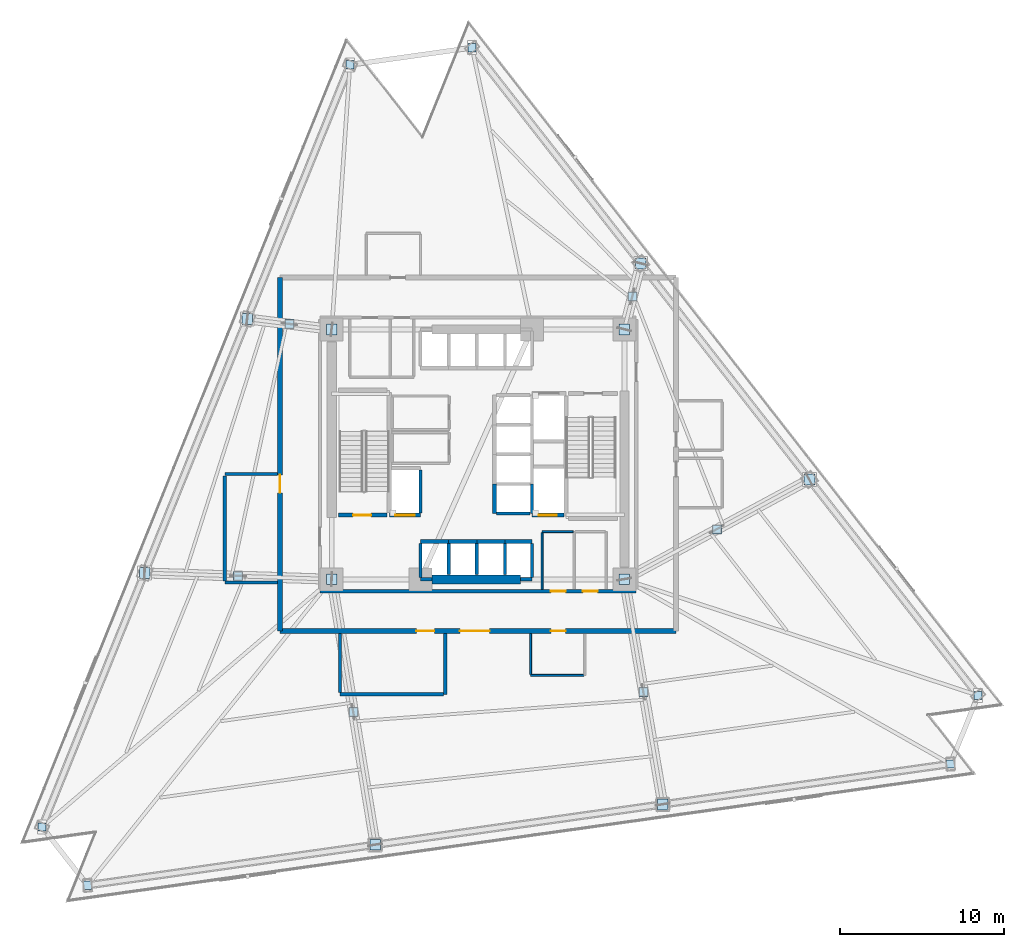
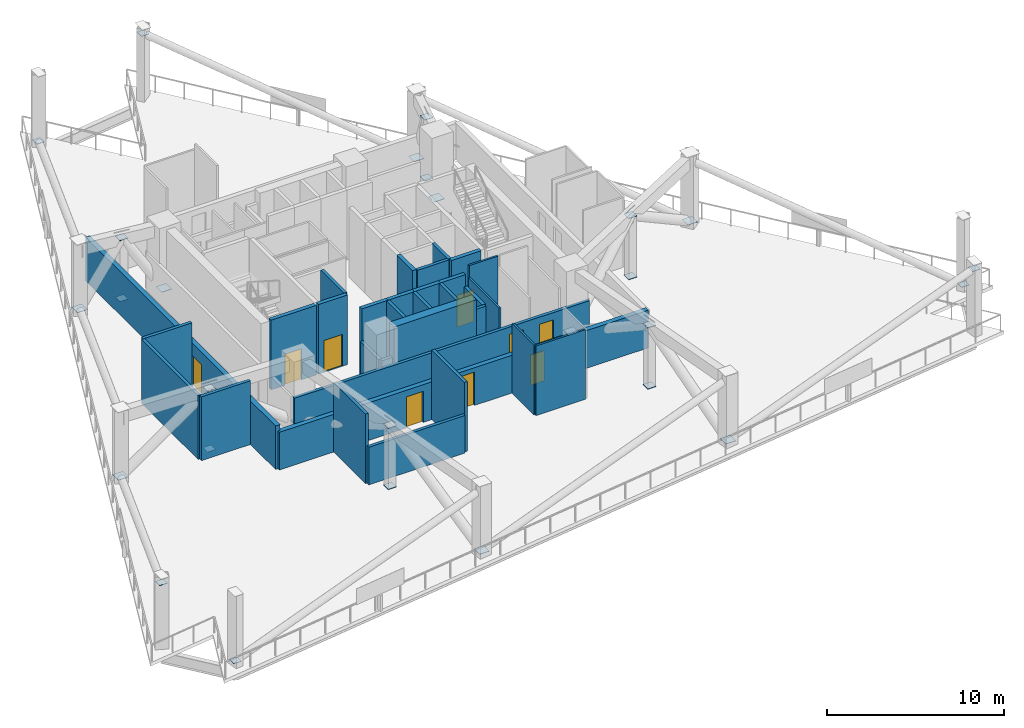
# One storey, part 6 of 13: 32 walls, 28 plates, 9 doors, 9 openings.
"""IFC4 building model written with IfcOpenShell, lengths in metres."""

from ifc_helpers import new_model, si_unit, direction, frame, frame_2d, origin, origin_2d, place, context, subcontext, project, spatial, rectangle, extrude, material, layer, layer_set, type_object, element, fill, save


model = new_model("IFC4")

# Units and contexts
model_context = context("Model", 3, precision=1e-05, world=origin(), true_north=direction((0.0, 1.0)))
body_context = subcontext(model_context, "Body", "Model", "MODEL_VIEW")
ifc_project = project(units=[si_unit("LENGTHUNIT", "METRE"), si_unit("AREAUNIT", "SQUARE_METRE"), si_unit("VOLUMEUNIT", "CUBIC_METRE"), si_unit("PLANEANGLEUNIT", "RADIAN"), si_unit("MASSUNIT", "GRAM", prefix="KILO")], contexts=[model_context])

# Site, building, storey
site_placement = place(None, origin())
site = spatial("IfcSite", under=ifc_project, at=site_placement, CompositionType="ELEMENT")
building_placement = place(site_placement, origin())
building = spatial("IfcBuilding", under=site, at=building_placement, Name="Tharavind Bronze Gate", CompositionType="ELEMENT")
storey_placement = place(building_placement, frame((0.0, 0.0, 81.10009765625)))
storey = spatial("IfcBuildingStorey", under=building, at=storey_placement, Name="L20", CompositionType="ELEMENT", Elevation=81.10009765625)

# Plates
ifc_material_1 = material(Name="Steel S460", Category="steel")
ifc_layer_1 = layer(ifc_material_1, 0.02490234375)
ifc_layer_set_1 = layer_set([ifc_layer_1], Name="Steel S460")
plate_type_1 = type_object("IfcPlateType", Name="STEEL END CAP SHEET 25", PredefinedType="SHEET", material=ifc_layer_set_1)
for number, where, z_axis, x_axis, name in (
    (1, (-8.89990234375, 7.60009765625, 0.237548828125), (0.0, 0.0, 1.0), (1.0, 0.0, 0.0), "Steel end cap plate CAP-L20-OBR1-1A"),
    (2, (-14.036376953125, 8.2421875, 0.237548828125), (0.0, 0.0, 1.0), (1.0, 0.0, 0.0), "Steel end cap plate CAP-L20-OBR1-2B"),
    (3, (-8.89990234375, -7.60009765625, 0.237548828125), (0.0, 0.0, 1.0), (1.0, 0.0, 0.0), "Steel end cap plate CAP-L20-OBR2-1A"),
    (4, (-20.28076171875, -7.212890625, 0.237548828125), (0.0, 0.0, 1.0), (1.0, 0.0, 0.0), "Steel end cap plate CAP-L20-OBR2-2B"),
    (5, (-6.25732421875, -23.75537109375, 0.237548828125), (0.0, 0.0, 1.0), (1.0, 0.0, 0.0), "Steel end cap plate CAP-L20-OBR3-2B"),
    (6, (8.89990234375, -7.60009765625, 0.237548828125), (0.0, 0.0, 1.0), (1.0, 0.0, 0.0), "Steel end cap plate CAP-L20-OBR4-1A"),
    (7, (11.23974609375, -21.29638671875, 0.237548828125), (0.0, 0.0, 1.0), (1.0, 0.0, 0.0), "Steel end cap plate CAP-L20-OBR4-2B"),
    (8, (20.16015625, -1.529296875, 0.237548828125), (0.0, 0.0, 1.0), (1.0, 0.0, 0.0), "Steel end cap plate CAP-L20-OBR5-2B"),
    (9, (8.89990234375, 7.60009765625, 0.237548828125), (0.0, 0.0, 1.0), (1.0, 0.0, 0.0), "Steel end cap plate CAP-L20-OBR6-1A"),
    (10, (9.897705078125, 11.60595703125, 0.237548828125), (0.0, 0.0, 1.0), (1.0, 0.0, 0.0), "Steel end cap plate CAP-L20-OBR6-2B"),
):
    element("IfcPlate", number, at=place(storey_placement, frame(where, z_axis=z_axis, x_axis=x_axis)), inside=storey, type_object=plate_type_1, Name=name, PredefinedType="SHEET", context=body_context, shape_type="SweptSolid", body=[
        extrude(rectangle(XDim=0.655029296875, YDim=0.655029296875, at=origin_2d()), origin(), (0.0, 0.0, 1.0), 0.02490234375),
    ])
ifc_material_2 = material(Name="Steel S355", Category="steel")
ifc_layer_2 = layer(ifc_material_2, 0.02490234375)
ifc_layer_set_2 = layer_set([ifc_layer_2], Name="Steel S355")
plate_type_2 = type_object("IfcPlateType", Name="STEEL END CAP SHEET S355 25", PredefinedType="SHEET", material=ifc_layer_set_2)
for number, where, z_axis, x_axis, name in (
    (11, (-11.46826171875, 7.921142578125, 0.237548828125), (0.0, 0.0, 1.0), (1.0, 0.0, 0.0), "Steel end cap plate CAP-L20-OST1A"),
    (12, (-11.46826171875, 7.921142578125, 4.447509765625), (0.0, 0.0, 1.0), (1.0, 0.0, 0.0), "Steel end cap plate CAP-L20-OST1B"),
    (13, (-14.59033203125, -7.406494140625, 0.237548828125), (0.0, 0.0, 1.0), (1.0, 0.0, 0.0), "Steel end cap plate CAP-L20-OST2A"),
    (14, (-14.59033203125, -7.406494140625, 4.447509765625), (0.0, 0.0, 1.0), (1.0, 0.0, 0.0), "Steel end cap plate CAP-L20-OST2B"),
    (15, (-7.57861328125, -15.677490234375, 0.237548828125), (0.0, 0.0, 1.0), (1.0, 0.0, 0.0), "Steel end cap plate CAP-L20-OST3A"),
    (16, (-7.57861328125, -15.677490234375, 4.447509765625), (0.0, 0.0, 1.0), (1.0, 0.0, 0.0), "Steel end cap plate CAP-L20-OST3B"),
    (17, (10.06982421875, -14.447998046875, 0.237548828125), (0.0, 0.0, 1.0), (1.0, 0.0, 0.0), "Steel end cap plate CAP-L20-OST4A"),
    (18, (10.06982421875, -14.447998046875, 4.447509765625), (0.0, 0.0, 1.0), (1.0, 0.0, 0.0), "Steel end cap plate CAP-L20-OST4B"),
    (19, (14.530029296875, -4.564697265625, 0.237548828125), (0.0, 0.0, 1.0), (1.0, 0.0, 0.0), "Steel end cap plate CAP-L20-OST5A"),
    (20, (14.530029296875, -4.564697265625, 4.447509765625), (0.0, 0.0, 1.0), (1.0, 0.0, 0.0), "Steel end cap plate CAP-L20-OST5B"),
    (21, (9.398681640625, 9.60302734375, 0.237548828125), (0.0, 0.0, 1.0), (1.0, 0.0, 0.0), "Steel end cap plate CAP-L20-OST6A"),
    (22, (9.398681640625, 9.60302734375, 4.447509765625), (0.0, 0.0, 1.0), (1.0, 0.0, 0.0), "Steel end cap plate CAP-L20-OST6B"),
):
    element("IfcPlate", number, at=place(storey_placement, frame(where, z_axis=z_axis, x_axis=x_axis)), inside=storey, type_object=plate_type_2, Name=name, PredefinedType="SHEET", context=body_context, shape_type="SweptSolid", body=[
        extrude(rectangle(XDim=0.544921875, YDim=0.544921875, at=origin_2d()), origin(), (0.0, 0.0, 1.0), 0.02490234375),
    ])
for number, where, z_axis, x_axis, name in (
    (23, (-7.7919921875, 23.69775390625, 0.237548828125), (0.0, 0.0, 1.0), (1.0, 0.0, 0.0), "Steel end cap plate CAP-L20-BLT1-1A"),
    (24, (-26.525146484375, -22.66845703125, 4.447509765625), (0.0, 0.0, 1.0), (1.0, 0.0, 0.0), "Steel end cap plate CAP-L20-BLT1-3B"),
    (25, (-23.754638671875, -26.21435546875, 0.237548828125), (0.0, 0.0, 1.0), (1.0, 0.0, 0.0), "Steel end cap plate CAP-L20-BLT2-1A"),
    (26, (28.737060546875, -18.837158203125, 4.447509765625), (0.0, 0.0, 1.0), (1.0, 0.0, 0.0), "Steel end cap plate CAP-L20-BLT2-3B"),
    (27, (30.422607421875, -14.664794921875, 0.237548828125), (0.0, 0.0, 1.0), (1.0, 0.0, 0.0), "Steel end cap plate CAP-L20-BLT3-1A"),
    (28, (-0.364990234375, 24.741455078125, 4.447509765625), (0.0, 0.0, 1.0), (1.0, 0.0, 0.0), "Steel end cap plate CAP-L20-BLT3-3B"),
):
    element("IfcPlate", number, at=place(storey_placement, frame(where, z_axis=z_axis, x_axis=x_axis)), inside=storey, type_object=plate_type_2, Name=name, PredefinedType="SHEET", context=body_context, shape_type="SweptSolid", body=[
        extrude(rectangle(XDim=0.501953125, YDim=0.501953125, at=origin_2d()), origin(), (0.0, 0.0, 1.0), 0.02490234375),
    ])

# Wall, openings, doors
ifc_material_3 = material(Name="Concrete C40/50", Category="concrete")
ifc_layer_3 = layer(ifc_material_3, 0.300048828125)
ifc_layer_set_3 = layer_set([ifc_layer_3], Name="Concrete C40/50")
wall_type_1 = type_object("IfcWallType", Name="EXTERIOR SPANDREL WALL 300", PredefinedType="STANDARD", material=ifc_layer_set_3)
wall_1_placement = place(storey_placement, frame((-12.050048828125, -10.75, 0.0), z_axis=(0.0, 0.0, 1.0), x_axis=(1.0, 0.0, 0.0)))
wall_1 = element("IfcWall", 29, at=wall_1_placement, inside=storey, type_object=wall_type_1, Name="L20 open wind floor core enclosure wall 1", PredefinedType="STANDARD", context=body_context, shape_type="SweptSolid", body=[
    extrude(rectangle(XDim=24.10009765625, YDim=0.300048828125, at=frame_2d((12.050048828125, 0.0))), origin(), (0.0, 0.0, 1.0), 2.60498046875),
])
opening_1_placement = place(wall_1_placement, frame((10.949951171875, 0.0, 0.0)))
opening_1 = element("IfcOpeningElement", 30, at=opening_1_placement, cuts=wall_1, Name="Opening ED03", PredefinedType="OPENING", context=body_context, shape_type="SweptSolid", body=[
    extrude(rectangle(XDim=1.800048828125, YDim=2.300048828125, at=frame_2d((0.89990234375, 1.14990234375))), frame((0.0, 0.15990234375, 0.0), z_axis=(0.0, -1.0, 0.0), x_axis=(1.0, 0.0, 0.0)), (0.0, 0.0, 1.0), 0.320048828125),
])
opening_2_placement = place(wall_1_placement, frame((8.300048828125, 0.0, 0.0)))
opening_2 = element("IfcOpeningElement", 31, at=opening_2_placement, cuts=wall_1, Name="Opening ID01", PredefinedType="OPENING", context=body_context, shape_type="SweptSolid", body=[
    extrude(rectangle(XDim=1.10009765625, YDim=2.14990234375, at=frame_2d((0.550048828125, 1.074951171875))), frame((0.0, 0.15990234375, 0.0), z_axis=(0.0, -1.0, 0.0), x_axis=(1.0, 0.0, 0.0)), (0.0, 0.0, 1.0), 0.320048828125),
])
opening_3_placement = place(wall_1_placement, frame((16.47705078125, 0.0, 0.0)))
opening_3 = element("IfcOpeningElement", 32, at=opening_3_placement, cuts=wall_1, Name="Opening ID07", PredefinedType="OPENING", context=body_context, shape_type="SweptSolid", body=[
    extrude(rectangle(XDim=0.89990234375, YDim=2.10009765625, at=frame_2d((0.449951171875, 1.050048828125))), frame((0.0, 0.15990234375, 0.0), z_axis=(0.0, -1.0, 0.0), x_axis=(1.0, 0.0, 0.0)), (0.0, 0.0, 1.0), 0.320048828125),
])
ifc_material_4 = material(Name="Bronze Aluminium & Toughened Glass", Category="aluminium")
door_type_1 = type_object("IfcDoorType", Name="GLAZED TERRACE ACCESS DOOR 1800X2300", OperationType="DOUBLE_DOOR_SINGLE_SWING", PredefinedType="DOOR", material=ifc_material_4)
door_1_placement = place(opening_1_placement, frame((1.800048828125, 0.0, 0.0), z_axis=(0.0, 0.0, 1.0), x_axis=(-1.0, 0.0, 0.0)))
door_1 = element("IfcDoor", 33, at=door_1_placement, inside=storey, type_object=door_type_1, Name="L20 open wind terrace access door", OperationType="DOUBLE_DOOR_SINGLE_SWING", OverallHeight=2.300048828125, OverallWidth=1.800048828125, PredefinedType="DOOR", context=body_context, shape_type="SweptSolid", body=[
    extrude(rectangle(XDim=1.800048828125, YDim=2.300048828125, at=frame_2d((0.89990234375, 1.14990234375))), frame((0.0, 0.02490234375, 0.0), z_axis=(0.0, -1.0, 0.0), x_axis=(1.0, 0.0, 0.0)), (0.0, 0.0, 1.0), 0.050048828125),
])
fill(opening_1, door_1)
ifc_material_5 = material(Name="Galvanised Fire Steel", Category="steel")
door_type_2 = type_object("IfcDoorType", Name="PLANT AND RISER FIRE DOOR 900X2100", OperationType="SINGLE_SWING_LEFT", PredefinedType="DOOR", material=ifc_material_5)
door_2_placement = place(opening_3_placement, origin())
door_2 = element("IfcDoor", 34, at=door_2_placement, inside=storey, type_object=door_type_2, Name="L20 Sprinkler Water Tank Room door", OperationType="SINGLE_SWING_LEFT", OverallHeight=2.10009765625, OverallWidth=0.89990234375, PredefinedType="DOOR", context=body_context, shape_type="SweptSolid", body=[
    extrude(rectangle(XDim=0.89990234375, YDim=2.10009765625, at=frame_2d((0.449951171875, 1.050048828125))), frame((0.0, 0.02490234375, 0.0), z_axis=(0.0, -1.0, 0.0), x_axis=(1.0, 0.0, 0.0)), (0.0, 0.0, 1.0), 0.050048828125),
])
fill(opening_3, door_2)
ifc_material_6 = material(Name="Fire-Rated Steel", Category="steel")
door_type_3 = type_object("IfcDoorType", Name="STAIR CORE FIRE DOOR 1100X2150", OperationType="SINGLE_SWING_LEFT", PredefinedType="DOOR", material=ifc_material_6)
door_3_placement = place(opening_2_placement, origin())
door_3 = element("IfcDoor", 35, at=door_3_placement, inside=storey, type_object=door_type_3, Name="L20 South Designated Area of Refuge door", OperationType="SINGLE_SWING_LEFT", OverallHeight=2.14990234375, OverallWidth=1.10009765625, PredefinedType="DOOR", context=body_context, shape_type="SweptSolid", body=[
    extrude(rectangle(XDim=1.10009765625, YDim=2.14990234375, at=frame_2d((0.550048828125, 1.074951171875))), frame((0.0, 0.02490234375, 0.0), z_axis=(0.0, -1.0, 0.0), x_axis=(1.0, 0.0, 0.0)), (0.0, 0.0, 1.0), 0.050048828125),
])
fill(opening_2, door_3)

# Wall, opening, door
wall_2_placement = place(storey_placement, frame((-12.050048828125, 10.75, 0.0), z_axis=(0.0, 0.0, 1.0), x_axis=(0.0, -1.0, 0.0)))
wall_2 = element("IfcWall", 36, at=wall_2_placement, inside=storey, type_object=wall_type_1, Name="L20 open wind floor core enclosure wall 4", PredefinedType="STANDARD", context=body_context, shape_type="SweptSolid", body=[
    extrude(rectangle(XDim=21.5, YDim=0.300048828125, at=frame_2d((10.75, 0.0))), origin(), (0.0, 0.0, 1.0), 3.0048828125),
])
opening_4_placement = place(wall_2_placement, frame((12.0, 0.0, 0.0)))
opening_4 = element("IfcOpeningElement", 37, at=opening_4_placement, cuts=wall_2, Name="Opening ID01", PredefinedType="OPENING", context=body_context, shape_type="SweptSolid", body=[
    extrude(rectangle(XDim=1.10009765625, YDim=2.14990234375, at=frame_2d((0.550048828125, 1.074951171875))), frame((0.0, 0.15990234375, 0.0), z_axis=(0.0, -1.0, 0.0), x_axis=(1.0, 0.0, 0.0)), (0.0, 0.0, 1.0), 0.320048828125),
])
door_4_placement = place(opening_4_placement, origin())
door_4 = element("IfcDoor", 38, at=door_4_placement, inside=storey, type_object=door_type_3, Name="L20 West Designated Area of Refuge door", OperationType="SINGLE_SWING_LEFT", OverallHeight=2.14990234375, OverallWidth=1.10009765625, PredefinedType="DOOR", context=body_context, shape_type="SweptSolid", body=[
    extrude(rectangle(XDim=1.10009765625, YDim=2.14990234375, at=frame_2d((0.550048828125, 1.074951171875))), frame((0.0, 0.02490234375, 0.0), z_axis=(0.0, -1.0, 0.0), x_axis=(1.0, 0.0, 0.0)), (0.0, 0.0, 1.0), 0.050048828125),
])
fill(opening_4, door_4)

# Wall, openings, doors
ifc_material_7 = material(Name="Aerated Concrete Block", Category="concrete")
ifc_layer_4 = layer(ifc_material_7, 0.199951171875)
ifc_layer_set_4 = layer_set([ifc_layer_4], Name="Aerated Concrete Block")
wall_type_2 = type_object("IfcWallType", Name="FIRE RATED PARTITION 200", PredefinedType="PARTITIONING", material=ifc_layer_set_4)
wall_3_placement = place(storey_placement, frame((-9.6201171875, -8.320068359375, 0.0), z_axis=(0.0, 0.0, 1.0), x_axis=(1.0, 0.0, 0.0)))
wall_3 = element("IfcWall", 39, at=wall_3_placement, inside=storey, type_object=wall_type_2, Name="L20 south core corridor wall", PredefinedType="PARTITIONING", context=body_context, shape_type="SweptSolid", body=[
    extrude(rectangle(XDim=19.240234375, YDim=0.199951171875, at=frame_2d((9.6201171875, 0.0))), origin(), (0.0, 0.0, 1.0), 2.60498046875),
])
opening_5_placement = place(wall_3_placement, frame((14.044921875, 0.0, 0.0)))
opening_5 = element("IfcOpeningElement", 40, at=opening_5_placement, cuts=wall_3, Name="Opening ID07", PredefinedType="OPENING", context=body_context, shape_type="SweptSolid", body=[
    extrude(rectangle(XDim=0.89990234375, YDim=2.10009765625, at=frame_2d((0.449951171875, 1.050048828125))), frame((0.0, 0.11009765625, 0.0), z_axis=(0.0, -1.0, 0.0), x_axis=(1.0, 0.0, 0.0)), (0.0, 0.0, 1.0), 0.219951171875),
])
opening_6_placement = place(wall_3_placement, frame((15.9951171875, 0.0, 0.0)))
opening_6 = element("IfcOpeningElement", 41, at=opening_6_placement, cuts=wall_3, Name="Opening ID07", PredefinedType="OPENING", context=body_context, shape_type="SweptSolid", body=[
    extrude(rectangle(XDim=0.89990234375, YDim=2.10009765625, at=frame_2d((0.449951171875, 1.050048828125))), frame((0.0, 0.11009765625, 0.0), z_axis=(0.0, -1.0, 0.0), x_axis=(1.0, 0.0, 0.0)), (0.0, 0.0, 1.0), 0.219951171875),
])
door_5_placement = place(opening_5_placement, frame((0.89990234375, 0.0, 0.0), z_axis=(0.0, 0.0, 1.0), x_axis=(-1.0, 0.0, 0.0)))
door_5 = element("IfcDoor", 42, at=door_5_placement, inside=storey, type_object=door_type_2, Name="L20 Fire Pump Switch Room fire door", OperationType="SINGLE_SWING_LEFT", OverallHeight=2.10009765625, OverallWidth=0.89990234375, PredefinedType="DOOR", context=body_context, shape_type="SweptSolid", body=[
    extrude(rectangle(XDim=0.89990234375, YDim=2.10009765625, at=frame_2d((0.449951171875, 1.050048828125))), frame((0.0, 0.02490234375, 0.0), z_axis=(0.0, -1.0, 0.0), x_axis=(1.0, 0.0, 0.0)), (0.0, 0.0, 1.0), 0.050048828125),
])
fill(opening_5, door_5)
door_6_placement = place(opening_6_placement, frame((0.89990234375, 0.0, 0.0), z_axis=(0.0, 0.0, 1.0), x_axis=(-1.0, 0.0, 0.0)))
door_6 = element("IfcDoor", 43, at=door_6_placement, inside=storey, type_object=door_type_2, Name="L20 Break Water Tank Room fire door", OperationType="SINGLE_SWING_LEFT", OverallHeight=2.10009765625, OverallWidth=0.89990234375, PredefinedType="DOOR", context=body_context, shape_type="SweptSolid", body=[
    extrude(rectangle(XDim=0.89990234375, YDim=2.10009765625, at=frame_2d((0.449951171875, 1.050048828125))), frame((0.0, 0.02490234375, 0.0), z_axis=(0.0, -1.0, 0.0), x_axis=(1.0, 0.0, 0.0)), (0.0, 0.0, 1.0), 0.050048828125),
])
fill(opening_6, door_6)

# Walls
for number, where, z_axis, x_axis, name in (
    (44, (-15.39990234375, -1.199951171875, 0.0), (0.0, 0.0, 1.0), (1.0, 0.0, 0.0), "L20 West Designated Area of Refuge partition"),
    (45, (-12.205078125, -7.800048828125, 0.0), (0.0, 0.0, 1.0), (-1.0, 0.0, 0.0), "L20 West Designated Area of Refuge partition"),
):
    element("IfcWall", number, at=place(storey_placement, frame(where, z_axis=z_axis, x_axis=x_axis)), inside=storey, type_object=wall_type_2, Name=name, PredefinedType="PARTITIONING", context=body_context, shape_type="SweptSolid", body=[
        extrude(rectangle(XDim=3.19482421875, YDim=0.199951171875, at=frame_2d((1.597412109375, 0.0))), origin(), (0.0, 0.0, 1.0), 4.40478515625),
    ])
wall_4_placement = place(storey_placement, frame((-15.39990234375, -7.695068359375, 0.0), z_axis=(0.0, 0.0, 1.0), x_axis=(0.0, 1.0, 0.0)))
element("IfcWall", 46, at=wall_4_placement, inside=storey, type_object=wall_type_2, Name="L20 West Designated Area of Refuge partition", PredefinedType="PARTITIONING", context=body_context, shape_type="SweptSolid", body=[
    extrude(rectangle(XDim=6.39013671875, YDim=0.199951171875, at=frame_2d((3.195068359375, 0.0))), origin(), (0.0, 0.0, 1.0), 4.40478515625),
])
wall_5_placement = place(storey_placement, frame((-2.0, -10.905029296875, 0.0), z_axis=(0.0, 0.0, 1.0), x_axis=(0.0, -1.0, 0.0)))
element("IfcWall", 47, at=wall_5_placement, inside=storey, type_object=wall_type_2, Name="L20 South Designated Area of Refuge partition", PredefinedType="PARTITIONING", context=body_context, shape_type="SweptSolid", body=[
    extrude(rectangle(XDim=3.695068359375, YDim=0.199951171875, at=frame_2d((1.84765625, 0.0))), origin(), (0.0, 0.0, 1.0), 4.809814453125),
])
wall_6_placement = place(storey_placement, frame((-2.10498046875, -14.60009765625, 0.0), z_axis=(0.0, 0.0, 1.0), x_axis=(-1.0, 0.0, 0.0)))
element("IfcWall", 48, at=wall_6_placement, inside=storey, type_object=wall_type_2, Name="L20 South Designated Area of Refuge partition", PredefinedType="PARTITIONING", context=body_context, shape_type="SweptSolid", body=[
    extrude(rectangle(XDim=6.294921875, YDim=0.199951171875, at=frame_2d((3.1474609375, 0.0))), origin(), (0.0, 0.0, 1.0), 2.60498046875),
])
wall_7_placement = place(storey_placement, frame((-8.39990234375, -14.4951171875, 0.0), z_axis=(0.0, 0.0, 1.0), x_axis=(0.0, 1.0, 0.0)))
element("IfcWall", 49, at=wall_7_placement, inside=storey, type_object=wall_type_2, Name="L20 South Designated Area of Refuge partition", PredefinedType="PARTITIONING", context=body_context, shape_type="SweptSolid", body=[
    extrude(rectangle(XDim=3.590087890625, YDim=0.199951171875, at=frame_2d((1.794921875, 0.0))), origin(), (0.0, 0.0, 1.0), 4.809814453125),
])
ifc_material_8 = material(Name="Metal Stud Gypsum Partition", Category="gypsum")
ifc_layer_5 = layer(ifc_material_8, 0.1201171875)
ifc_layer_set_5 = layer_set([ifc_layer_5], Name="Metal Stud Gypsum Partition")
wall_type_3 = type_object("IfcWallType", Name="INTERIOR PARTITION WALL 120", PredefinedType="PARTITIONING", material=ifc_layer_set_5)
wall_8_placement = place(storey_placement, frame((5.784912109375, -4.699951171875, 0.0), z_axis=(0.0, 0.0, 1.0), x_axis=(-1.0, 0.0, 0.0)))
element("IfcWall", 50, at=wall_8_placement, inside=storey, type_object=wall_type_3, Name="L20 Fire Pump Switch Room partition 3", PredefinedType="PARTITIONING", context=body_context, shape_type="SweptSolid", body=[
    extrude(rectangle(XDim=1.885009765625, YDim=0.1201171875, at=frame_2d((0.9423828125, 0.0))), origin(), (0.0, 0.0, 1.0), 4.809814453125),
])
wall_9_placement = place(storey_placement, frame((3.89990234375, -4.764892578125, 0.0), z_axis=(0.0, 0.0, 1.0), x_axis=(0.0, -1.0, 0.0)))
element("IfcWall", 51, at=wall_9_placement, inside=storey, type_object=wall_type_3, Name="L20 Fire Pump Switch Room partition 4", PredefinedType="PARTITIONING", context=body_context, shape_type="SweptSolid", body=[
    extrude(rectangle(XDim=3.4501953125, YDim=0.1201171875, at=frame_2d((1.72509765625, 0.0))), origin(), (0.0, 0.0, 1.0), 4.0048828125),
])
wall_10_placement = place(storey_placement, frame((6.43505859375, -13.449951171875, 0.0), z_axis=(0.0, 0.0, 1.0), x_axis=(-1.0, 0.0, 0.0)))
element("IfcWall", 52, at=wall_10_placement, inside=storey, type_object=wall_type_3, Name="L20 Sprinkler Water Tank Room partition", PredefinedType="PARTITIONING", context=body_context, shape_type="SweptSolid", body=[
    extrude(rectangle(XDim=3.235107421875, YDim=0.1201171875, at=frame_2d((1.61767578125, 0.0))), origin(), (0.0, 0.0, 1.0), 4.809814453125),
])
wall_11_placement = place(storey_placement, frame((3.199951171875, -13.385009765625, 0.0), z_axis=(0.0, 0.0, 1.0), x_axis=(0.0, 1.0, 0.0)))
element("IfcWall", 53, at=wall_11_placement, inside=storey, type_object=wall_type_3, Name="L20 Sprinkler Water Tank Room partition", PredefinedType="PARTITIONING", context=body_context, shape_type="SweptSolid", body=[
    extrude(rectangle(XDim=2.47998046875, YDim=0.1201171875, at=frame_2d((1.239990234375, 0.0))), origin(), (0.0, 0.0, 1.0), 4.809814453125),
])

# Wall, opening, door
ifc_material_9 = material(Name="Concrete C50/60", Category="concrete")
ifc_layer_6 = layer(ifc_material_9, 0.25)
ifc_layer_set_6 = layer_set([ifc_layer_6], Name="Concrete C50/60")
wall_type_4 = type_object("IfcWallType", Name="RC CORE SHEAR WALL 250", PredefinedType="SHEAR", material=ifc_layer_set_6)
wall_12_placement = place(storey_placement, frame((-8.5, -3.699951171875, 0.0), z_axis=(0.0, 0.0, 1.0), x_axis=(1.0, 0.0, 0.0)))
wall_12 = element("IfcWall", 54, at=wall_12_placement, inside=storey, type_object=wall_type_4, Name="L20 ST1 shaft south wall", PredefinedType="SHEAR", context=body_context, shape_type="SweptSolid", body=[
    extrude(rectangle(XDim=2.949951171875, YDim=0.25, at=frame_2d((1.47509765625, 0.0))), origin(), (0.0, 0.0, 1.0), 4.809814453125),
])
opening_7_placement = place(wall_12_placement, frame((0.89990234375, 0.0, 0.0)))
opening_7 = element("IfcOpeningElement", 55, at=opening_7_placement, cuts=wall_12, Name="Opening ID01", PredefinedType="OPENING", context=body_context, shape_type="SweptSolid", body=[
    extrude(rectangle(XDim=1.10009765625, YDim=2.14990234375, at=frame_2d((0.550048828125, 1.074951171875))), frame((0.0, 0.135, 0.0), z_axis=(0.0, -1.0, 0.0), x_axis=(1.0, 0.0, 0.0)), (0.0, 0.0, 1.0), 0.27),
])
door_7_placement = place(opening_7_placement, origin())
door_7 = element("IfcDoor", 56, at=door_7_placement, inside=storey, type_object=door_type_3, Name="L20 exit stair ST1 fire door", OperationType="SINGLE_SWING_LEFT", OverallHeight=2.14990234375, OverallWidth=1.10009765625, PredefinedType="DOOR", context=body_context, shape_type="SweptSolid", body=[
    extrude(rectangle(XDim=1.10009765625, YDim=2.14990234375, at=frame_2d((0.550048828125, 1.074951171875))), frame((0.0, 0.02490234375, 0.0), z_axis=(0.0, -1.0, 0.0), x_axis=(1.0, 0.0, 0.0)), (0.0, 0.0, 1.0), 0.050048828125),
])
fill(opening_7, door_7)

# Walls
wall_13_placement = place(storey_placement, frame((-3.5, -5.300048828125, 0.0), z_axis=(0.0, 0.0, 1.0), x_axis=(1.0, 0.0, 0.0)))
element("IfcWall", 57, at=wall_13_placement, inside=storey, type_object=wall_type_4, Name="L20 lift PL1 shaft front wall", PredefinedType="SHEAR", context=body_context, shape_type="SweptSolid", body=[
    extrude(rectangle(XDim=1.71240234375, YDim=0.25, at=frame_2d((0.856201171875, 0.0))), origin(), (0.0, 0.0, 1.0), 4.809814453125),
])
wall_14_placement = place(storey_placement, frame((-1.78759765625, -5.300048828125, 0.0), z_axis=(0.0, 0.0, 1.0), x_axis=(1.0, 0.0, 0.0)))
element("IfcWall", 58, at=wall_14_placement, inside=storey, type_object=wall_type_4, Name="L20 lift PL2 shaft front wall", PredefinedType="SHEAR", context=body_context, shape_type="SweptSolid", body=[
    extrude(rectangle(XDim=1.712646484375, YDim=0.25, at=frame_2d((0.8564453125, 0.0))), origin(), (0.0, 0.0, 1.0), 4.809814453125),
])
wall_15_placement = place(storey_placement, frame((-0.074951171875, -5.300048828125, 0.0), z_axis=(0.0, 0.0, 1.0), x_axis=(1.0, 0.0, 0.0)))
element("IfcWall", 59, at=wall_15_placement, inside=storey, type_object=wall_type_4, Name="L20 lift PL3 shaft front wall", PredefinedType="SHEAR", context=body_context, shape_type="SweptSolid", body=[
    extrude(rectangle(XDim=1.71240234375, YDim=0.25, at=frame_2d((0.856201171875, 0.0))), origin(), (0.0, 0.0, 1.0), 4.809814453125),
])
wall_16_placement = place(storey_placement, frame((1.637451171875, -5.300048828125, 0.0), z_axis=(0.0, 0.0, 1.0), x_axis=(1.0, 0.0, 0.0)))
element("IfcWall", 60, at=wall_16_placement, inside=storey, type_object=wall_type_4, Name="L20 lift PL4 shaft front wall", PredefinedType="SHEAR", context=body_context, shape_type="SweptSolid", body=[
    extrude(rectangle(XDim=1.642578125, YDim=0.25, at=frame_2d((0.8212890625, 0.0))), origin(), (0.0, 0.0, 1.0), 4.809814453125),
])
wall_17_placement = place(storey_placement, frame((1.0, -3.60009765625, 0.0), z_axis=(0.0, 0.0, 1.0), x_axis=(0.0, 1.0, 0.0)))
element("IfcWall", 61, at=wall_17_placement, inside=storey, type_object=wall_type_4, Name="L20 lift PL9 shaft front wall", PredefinedType="SHEAR", context=body_context, shape_type="SweptSolid", body=[
    extrude(rectangle(XDim=1.800048828125, YDim=0.25, at=frame_2d((0.89990234375, 0.0))), origin(), (0.0, 0.0, 1.0), 4.809814453125),
])

# Wall, opening, door
wall_18_placement = place(storey_placement, frame((-5.39990234375, -3.699951171875, 0.0), z_axis=(0.0, 0.0, 1.0), x_axis=(1.0, 0.0, 0.0)))
wall_18 = element("IfcWall", 62, at=wall_18_placement, inside=storey, type_object=wall_type_4, Name="L20 lift FFL1 shaft front wall", PredefinedType="SHEAR", context=body_context, shape_type="SweptSolid", body=[
    extrude(rectangle(XDim=1.89990234375, YDim=0.25, at=frame_2d((0.949951171875, 0.0))), origin(), (0.0, 0.0, 1.0), 4.809814453125),
])
opening_8_placement = place(wall_18_placement, frame((0.35009765625, 0.0, 0.0)))
opening_8 = element("IfcOpeningElement", 63, at=opening_8_placement, cuts=wall_18, Name="Opening LD02", PredefinedType="OPENING", context=body_context, shape_type="SweptSolid", body=[
    extrude(rectangle(XDim=1.199951171875, YDim=2.199951171875, at=frame_2d((0.60009765625, 1.10009765625))), frame((0.0, 0.135, 0.0), z_axis=(0.0, -1.0, 0.0), x_axis=(1.0, 0.0, 0.0)), (0.0, 0.0, 1.0), 0.27),
])
ifc_material_10 = material(Name="Brushed Stainless Steel", Category="steel")
door_type_4 = type_object("IfcDoorType", Name="FIREFIGHTING LIFT LANDING DOOR 1200X2200", OperationType="SLIDING_TO_RIGHT", PredefinedType="DOOR", material=ifc_material_10)
door_8_placement = place(opening_8_placement, origin())
door_8 = element("IfcDoor", 64, at=door_8_placement, inside=storey, type_object=door_type_4, Name="L20 lift FFL1 sliding landing door", OperationType="SLIDING_TO_RIGHT", OverallHeight=2.199951171875, OverallWidth=1.199951171875, PredefinedType="DOOR", context=body_context, shape_type="SweptSolid", body=[
    extrude(rectangle(XDim=1.199951171875, YDim=2.199951171875, at=frame_2d((0.60009765625, 1.10009765625))), frame((0.0, 0.02490234375, 0.0), z_axis=(0.0, -1.0, 0.0), x_axis=(1.0, 0.0, 0.0)), (0.0, 0.0, 1.0), 0.050048828125),
])
fill(opening_8, door_8)

wall_19_placement = place(storey_placement, frame((3.280029296875, -3.699951171875, 0.0), z_axis=(0.0, 0.0, 1.0), x_axis=(1.0, 0.0, 0.0)))
wall_19 = element("IfcWall", 65, at=wall_19_placement, inside=storey, type_object=wall_type_4, Name="L20 lift SVL1 shaft front wall", PredefinedType="SHEAR", context=body_context, shape_type="SweptSolid", body=[
    extrude(rectangle(XDim=1.93994140625, YDim=0.25, at=frame_2d((0.969970703125, 0.0))), origin(), (0.0, 0.0, 1.0), 4.809814453125),
])
opening_9_placement = place(wall_19_placement, frame((0.419921875, 0.0, 0.0)))
opening_9 = element("IfcOpeningElement", 66, at=opening_9_placement, cuts=wall_19, Name="Opening LD01", PredefinedType="OPENING", context=body_context, shape_type="SweptSolid", body=[
    extrude(rectangle(XDim=1.10009765625, YDim=2.199951171875, at=frame_2d((0.550048828125, 1.10009765625))), frame((0.0, 0.135, 0.0), z_axis=(0.0, -1.0, 0.0), x_axis=(1.0, 0.0, 0.0)), (0.0, 0.0, 1.0), 0.27),
])
ifc_material_11 = material(Name="Brushed Bronze Stainless Steel", Category="steel")
door_type_5 = type_object("IfcDoorType", Name="LIFT LANDING SLIDING DOOR 1100X2200", OperationType="SLIDING_TO_LEFT", PredefinedType="DOOR", material=ifc_material_11)
door_9_placement = place(opening_9_placement, origin())
door_9 = element("IfcDoor", 67, at=door_9_placement, inside=storey, type_object=door_type_5, Name="L20 lift SVL1 sliding landing door", OperationType="SLIDING_TO_LEFT", OverallHeight=2.199951171875, OverallWidth=1.10009765625, PredefinedType="DOOR", context=body_context, shape_type="SweptSolid", body=[
    extrude(rectangle(XDim=1.10009765625, YDim=2.199951171875, at=frame_2d((0.550048828125, 1.10009765625))), frame((0.0, 0.02490234375, 0.0), z_axis=(0.0, -1.0, 0.0), x_axis=(1.0, 0.0, 0.0)), (0.0, 0.0, 1.0), 0.050048828125),
])
fill(opening_9, door_9)

# Walls
ifc_material_12 = material(Name="Concrete C60/75", Category="concrete")
ifc_layer_7 = layer(ifc_material_12, 0.550048828125)
ifc_layer_set_7 = layer_set([ifc_layer_7], Name="Concrete C60/75")
wall_type_5 = type_object("IfcWallType", Name="RC CORE SHEAR WALL 550", PredefinedType="SHEAR", material=ifc_layer_set_7)
wall_20_placement = place(storey_placement, frame((-2.800048828125, -7.60009765625, 0.0), z_axis=(0.0, 0.0, 1.0), x_axis=(1.0, 0.0, 0.0)))
element("IfcWall", 68, at=wall_20_placement, inside=storey, type_object=wall_type_5, Name="L20 south core shear wall", PredefinedType="SHEAR", context=body_context, shape_type="SweptSolid", body=[
    extrude(rectangle(XDim=5.380126953125, YDim=0.550048828125, at=frame_2d((2.68994140625, 0.0))), origin(), (0.0, 0.0, 1.0), 4.809814453125),
])
ifc_layer_8 = layer(ifc_material_3, 0.199951171875)
ifc_layer_set_8 = layer_set([ifc_layer_8], Name="Concrete C40/50")
wall_type_6 = type_object("IfcWallType", Name="SHAFT ENCLOSURE WALL 200", PredefinedType="PARTITIONING", material=ifc_layer_set_8)
wall_21_placement = place(storey_placement, frame((-3.5, -7.60009765625, 0.0), z_axis=(0.0, 0.0, 1.0), x_axis=(1.0, 0.0, 0.0)))
element("IfcWall", 69, at=wall_21_placement, inside=storey, type_object=wall_type_6, Name="L20 lift PL1 shaft S enclosure wall", PredefinedType="PARTITIONING", context=body_context, shape_type="SweptSolid", body=[
    extrude(rectangle(XDim=0.699951171875, YDim=0.199951171875, at=frame_2d((0.35009765625, 0.0))), origin(), (0.0, 0.0, 1.0), 2.60498046875),
])
wall_22_placement = place(storey_placement, frame((-3.5, -7.4951171875, 0.0), z_axis=(0.0, 0.0, 1.0), x_axis=(0.0, 1.0, 0.0)))
element("IfcWall", 70, at=wall_22_placement, inside=storey, type_object=wall_type_6, Name="L20 lift PL1 shaft W enclosure wall", PredefinedType="PARTITIONING", context=body_context, shape_type="SweptSolid", body=[
    extrude(rectangle(XDim=2.065185546875, YDim=0.199951171875, at=frame_2d((1.03271484375, 0.0))), origin(), (0.0, 0.0, 1.0), 2.60498046875),
])
for number, where, z_axis, x_axis, name in (
    (71, (-1.78759765625, -7.320068359375, 0.0), (0.0, 0.0, 1.0), (0.0, 1.0, 0.0), "L20 lift PL1 shaft E enclosure wall"),
    (72, (-0.074951171875, -7.320068359375, 0.0), (0.0, 0.0, 1.0), (0.0, 1.0, 0.0), "L20 lift PL2 shaft E enclosure wall"),
    (73, (1.637451171875, -7.320068359375, 0.0), (0.0, 0.0, 1.0), (0.0, 1.0, 0.0), "L20 lift PL3 shaft E enclosure wall"),
):
    element("IfcWall", number, at=place(storey_placement, frame(where, z_axis=z_axis, x_axis=x_axis)), inside=storey, type_object=wall_type_6, Name=name, PredefinedType="PARTITIONING", context=body_context, shape_type="SweptSolid", body=[
        extrude(rectangle(XDim=1.89013671875, YDim=0.199951171875, at=frame_2d((0.945068359375, 0.0))), origin(), (0.0, 0.0, 1.0), 4.809814453125),
    ])
wall_23_placement = place(storey_placement, frame((2.580078125, -7.60009765625, 0.0), z_axis=(0.0, 0.0, 1.0), x_axis=(1.0, 0.0, 0.0)))
element("IfcWall", 74, at=wall_23_placement, inside=storey, type_object=wall_type_6, Name="L20 lift PL4 shaft S enclosure wall", PredefinedType="PARTITIONING", context=body_context, shape_type="SweptSolid", body=[
    extrude(rectangle(XDim=0.699951171875, YDim=0.199951171875, at=frame_2d((0.35009765625, 0.0))), origin(), (0.0, 0.0, 1.0), 4.0048828125),
])
wall_24_placement = place(storey_placement, frame((3.280029296875, -7.4951171875, 0.0), z_axis=(0.0, 0.0, 1.0), x_axis=(0.0, 1.0, 0.0)))
element("IfcWall", 75, at=wall_24_placement, inside=storey, type_object=wall_type_6, Name="L20 lift PL4 shaft E enclosure wall", PredefinedType="PARTITIONING", context=body_context, shape_type="SweptSolid", body=[
    extrude(rectangle(XDim=2.065185546875, YDim=0.199951171875, at=frame_2d((1.03271484375, 0.0))), origin(), (0.0, 0.0, 1.0), 4.0048828125),
])
wall_25_placement = place(storey_placement, frame((3.280029296875, -3.60009765625, 0.0), z_axis=(0.0, 0.0, 1.0), x_axis=(0.0, 1.0, 0.0)))
element("IfcWall", 76, at=wall_25_placement, inside=storey, type_object=wall_type_6, Name="L20 lift PL9 shaft E enclosure wall", PredefinedType="PARTITIONING", context=body_context, shape_type="SweptSolid", body=[
    extrude(rectangle(XDim=1.800048828125, YDim=0.199951171875, at=frame_2d((0.89990234375, 0.0))), origin(), (0.0, 0.0, 1.0), 4.809814453125),
])
wall_26_placement = place(storey_placement, frame((1.1298828125, -3.60009765625, 0.0), z_axis=(0.0, 0.0, 1.0), x_axis=(1.0, 0.0, 0.0)))
element("IfcWall", 77, at=wall_26_placement, inside=storey, type_object=wall_type_6, Name="L20 lift PL9 shaft S enclosure wall", PredefinedType="PARTITIONING", context=body_context, shape_type="SweptSolid", body=[
    extrude(rectangle(XDim=2.045166015625, YDim=0.199951171875, at=frame_2d((1.0224609375, 0.0))), origin(), (0.0, 0.0, 1.0), 4.809814453125),
])
wall_27_placement = place(storey_placement, frame((-3.5, -3.570068359375, 0.0), z_axis=(0.0, 0.0, 1.0), x_axis=(0.0, 1.0, 0.0)))
element("IfcWall", 78, at=wall_27_placement, inside=storey, type_object=wall_type_6, Name="L20 lift FFL1 shaft E enclosure wall", PredefinedType="PARTITIONING", context=body_context, shape_type="SweptSolid", body=[
    extrude(rectangle(XDim=2.614990234375, YDim=0.199951171875, at=frame_2d((1.3076171875, 0.0))), origin(), (0.0, 0.0, 1.0), 4.809814453125),
])

save(model, "model.ifc")
